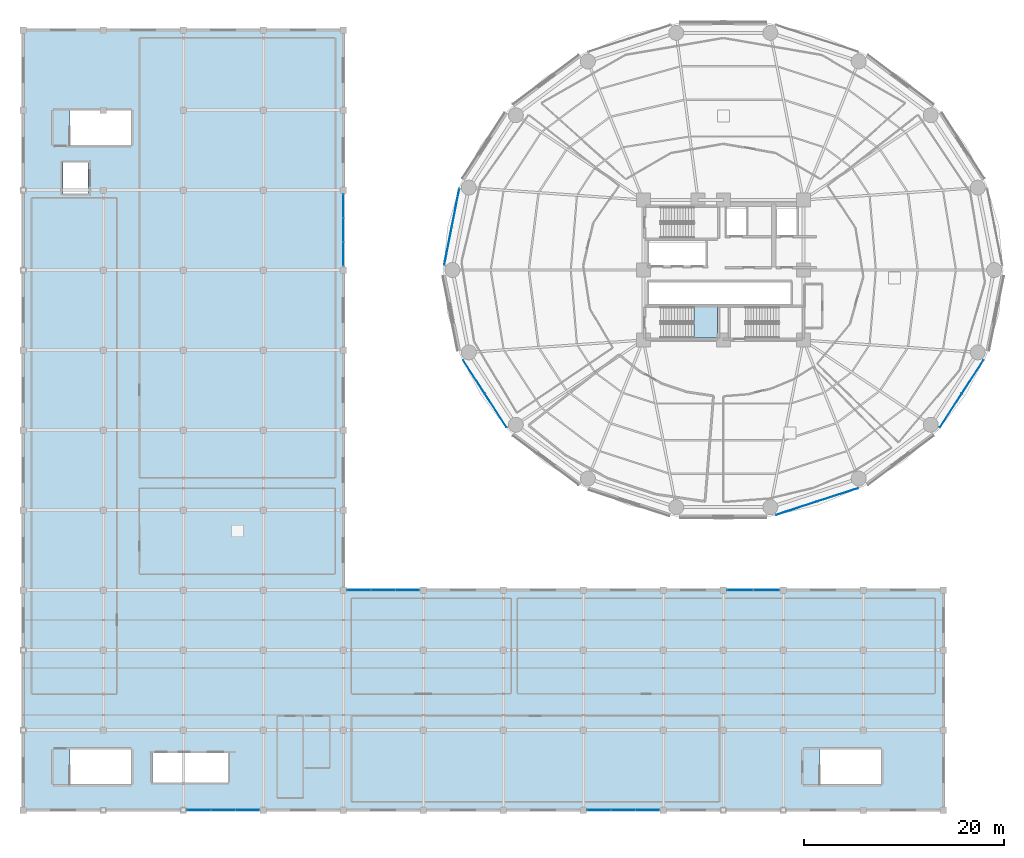
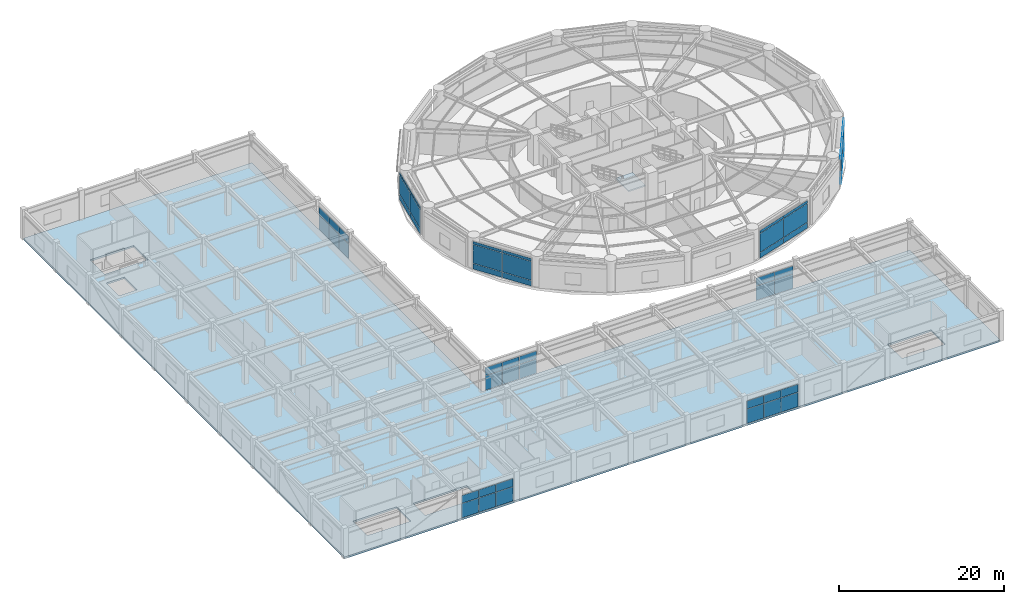
# One storey, part 32 of 46: 52 plates, 2 slabs, 10 elements without a shape of their own.
"""IFC4 building model written with IfcOpenShell, lengths in metres."""

from ifc_helpers import new_model, si_unit, direction, frame, origin, origin_2d, place, context, subcontext, project, spatial, polyline, rectangle, outline, extrude, source, transform, mapped, material, layer, layer_set, type_object, element, aggregate, save


model = new_model("IFC4")

# Units and contexts
model_context = context("Model", 3, precision=1e-05, world=origin(), true_north=direction((0.0, 1.0)))
body_context = subcontext(model_context, "Body", "Model", "MODEL_VIEW")
ifc_project = project(units=[si_unit("LENGTHUNIT", "METRE"), si_unit("AREAUNIT", "SQUARE_METRE"), si_unit("VOLUMEUNIT", "CUBIC_METRE"), si_unit("PLANEANGLEUNIT", "RADIAN"), si_unit("MASSUNIT", "GRAM", prefix="KILO")], contexts=[model_context])

# Site, building, storey
site_placement = place(None, origin())
site = spatial("IfcSite", under=ifc_project, at=site_placement, CompositionType="ELEMENT")
building_placement = place(site_placement, origin())
building = spatial("IfcBuilding", under=site, at=building_placement, Name="Kelanora Arch Commons", CompositionType="ELEMENT")
storey_placement = place(building_placement, frame((0.0, 0.0, 18.0)))
storey = spatial("IfcBuildingStorey", under=building, at=storey_placement, Name="L04", CompositionType="ELEMENT", Elevation=18.0)

# Slab
ifc_material_1 = material(Name="Concrete C40/50", Category="concrete")
ifc_layer_1 = layer(ifc_material_1, 0.260009765625)
ifc_layer_set_1 = layer_set([ifc_layer_1], Name="Concrete C40/50")
slab_type_1 = type_object("IfcSlabType", Name="SLB-MKT-SUSP", PredefinedType="FLOOR", material=ifc_layer_set_1)
slab_1_placement = place(storey_placement, frame((0.0, 0.0, -0.260009765625)))
element("IfcSlab", 1, at=slab_1_placement, inside=storey, type_object=slab_type_1, Name="Market Hall Floor Slab L04", PredefinedType="FLOOR", context=body_context, shape_type="SweptSolid", body=[
    extrude(outline(polyline([(4.0, 4.0), (96.0, 4.0), (96.0, 26.0), (36.0, 26.0), (36.0, 82.0), (4.0, 82.0), (4.0, 4.0)]), holes=[polyline([(24.449951171875, 6.75), (16.89990234375, 6.75), (16.89990234375, 9.699951171875), (24.449951171875, 9.699951171875), (24.449951171875, 6.75)]), polyline([(14.7919921875, 6.568115234375), (8.68798828125, 6.568115234375), (8.68798828125, 10.06201171875), (14.7919921875, 10.06201171875), (14.7919921875, 6.568115234375)]), polyline([(89.7919921875, 6.568115234375), (83.68798828125, 6.568115234375), (83.68798828125, 10.06201171875), (89.7919921875, 10.06201171875), (89.7919921875, 6.568115234375)]), polyline([(7.949951171875, 65.64990234375), (7.949951171875, 68.75), (10.449951171875, 68.75), (10.449951171875, 65.64990234375), (7.949951171875, 65.64990234375)]), polyline([(8.68798828125, 70.488037109375), (8.68798828125, 73.98193359375), (14.7919921875, 73.98193359375), (14.7919921875, 70.488037109375), (8.68798828125, 70.488037109375)])]), origin(), (0.0, 0.0, 1.0), 0.260009765625),
])

# Stair, slab
stair_type = type_object("IfcStairType", Name="STR-DL-450", PredefinedType="HALF_TURN_STAIR", material=ifc_material_1)
stair_placement = place(storey_placement, origin())
stair = element("IfcStair", 2, at=stair_placement, inside=storey, type_object=stair_type, Name="L04 ST-T3", PredefinedType="HALF_TURN_STAIR")
ifc_layer_2 = layer(ifc_material_1, 0.199951171875)
ifc_layer_set_2 = layer_set([ifc_layer_2], Name="Concrete C40/50")
slab_type_2 = type_object("IfcSlabType", Name="SLB-STAIR-LND", PredefinedType="LANDING", material=ifc_layer_set_2)
slab_2_placement = place(storey_placement, frame((0.0, 0.0, 2.050048828125)))
slab_2 = element("IfcSlab", 3, at=slab_2_placement, type_object=slab_type_2, Name="ST-T3 landing 1", PredefinedType="LANDING", context=body_context, shape_type="SweptSolid", body=[
    extrude(outline(polyline([(71.080078125, 51.179931640625), (73.43994140625, 51.179931640625), (73.43994140625, 54.2900390625), (71.080078125, 54.2900390625), (71.080078125, 51.179931640625)])), origin(), (0.0, 0.0, 1.0), 0.199951171875),
])
aggregate(stair, [slab_2])

# Curtain wall, plates
ifc_material_2 = material(Name="Terracotta ceramic-fritted low-E glass and aluminium", Category="masonry")
ifc_layer_3 = layer(ifc_material_2, 0.2099609375)
ifc_layer_set_3 = layer_set([ifc_layer_3], Name="Terracotta ceramic-fritted low-E glass and aluminium")
curtain_wall_type_1 = type_object("IfcCurtainWallType", Name="CW-SYS-04", PredefinedType="NOTDEFINED", material=ifc_layer_set_3)
curtain_wall_1_placement = place(storey_placement, origin())
curtain_wall_1 = element("IfcCurtainWall", 4, at=curtain_wall_1_placement, inside=storey, type_object=curtain_wall_type_1, Name="Unitised Curtain Wall L04-B14", PredefinedType="NOTDEFINED")
ifc_material_3 = material(Name="Clear laminated solar-control double glazing", Category="glass")
ifc_layer_4 = layer(ifc_material_3, 0.033935546875)
ifc_layer_set_4 = layer_set([ifc_layer_4], Name="Clear laminated solar-control double glazing")
plate_type = type_object("IfcPlateType", Name="CWP-CLR", PredefinedType="CURTAIN_PANEL", material=ifc_layer_set_4)
shared_shape_1 = source(origin(), body_context, "Body", "SweptSolid", [
    extrude(rectangle(XDim=4.28466796875, YDim=0.033935546875, at=origin_2d()), origin(), (0.0, 0.0, 1.0), 0.81005859375),
])
plate_1_placement = place(storey_placement, frame((81.3173828125, 34.177734375, 0.06005859375), z_axis=(0.0, 0.0, 1.0), x_axis=(0.951039444211, 0.309069531911, 0.0)))
plate_1 = element("IfcPlate", 5, at=plate_1_placement, type_object=plate_type, Name="CW-04 panel 1.1", PredefinedType="CURTAIN_PANEL", context=body_context, shape_type="MappedRepresentation", body=[
    mapped(shared_shape_1, transform((0.0, 0.0, 0.0), scale=1.0)),
])
plate_2_placement = place(storey_placement, frame((85.44921875, 35.5205078125, 0.06005859375), z_axis=(0.0, 0.0, 1.0), x_axis=(0.951039444211, 0.309069531911, 0.0)))
plate_2 = element("IfcPlate", 6, at=plate_2_placement, type_object=plate_type, Name="CW-04 panel 2.1", PredefinedType="CURTAIN_PANEL", context=body_context, shape_type="MappedRepresentation", body=[
    mapped(shared_shape_1, transform((0.0, 0.0, 0.0), scale=1.0)),
])
shared_shape_2 = source(origin(), body_context, "Body", "SweptSolid", [
    extrude(rectangle(XDim=4.28466796875, YDim=0.033935546875, at=origin_2d()), origin(), (0.0, 0.0, 1.0), 0.409912109375),
])
plate_3_placement = place(storey_placement, frame((81.3173828125, 34.177734375, 3.7548828125), z_axis=(0.0, 0.0, 1.0), x_axis=(0.951039444211, 0.309069531911, 0.0)))
plate_3 = element("IfcPlate", 7, at=plate_3_placement, type_object=plate_type, Name="CW-04 panel 1.3", PredefinedType="CURTAIN_PANEL", context=body_context, shape_type="MappedRepresentation", body=[
    mapped(shared_shape_2, transform((0.0, 0.0, 0.0), scale=1.0)),
])
plate_4_placement = place(storey_placement, frame((85.44921875, 35.5205078125, 3.7548828125), z_axis=(0.0, 0.0, 1.0), x_axis=(0.951039444211, 0.309069531911, 0.0)))
plate_4 = element("IfcPlate", 8, at=plate_4_placement, type_object=plate_type, Name="CW-04 panel 2.3", PredefinedType="CURTAIN_PANEL", context=body_context, shape_type="MappedRepresentation", body=[
    mapped(shared_shape_2, transform((0.0, 0.0, 0.0), scale=1.0)),
])

curtain_wall_2_placement = place(storey_placement, origin())
curtain_wall_2 = element("IfcCurtainWall", 9, at=curtain_wall_2_placement, inside=storey, type_object=curtain_wall_type_1, Name="Unitised Curtain Wall L04-B10", PredefinedType="NOTDEFINED")
shared_shape_3 = source(origin(), body_context, "Body", "SweptSolid", [
    extrude(rectangle(XDim=3.95654296875, YDim=0.033935546875, at=origin_2d()), origin(), (0.0, 0.0, 1.0), 0.81005859375),
])
plate_5_placement = place(storey_placement, frame((49.068603515625, 47.3154296875, 0.06005859375), z_axis=(0.0, 0.0, 1.0), x_axis=(0.54300636083, -0.839728582399, 0.0)))
plate_5 = element("IfcPlate", 10, at=plate_5_placement, type_object=plate_type, Name="CW-04 panel 1.1", PredefinedType="CURTAIN_PANEL", context=body_context, shape_type="MappedRepresentation", body=[
    mapped(shared_shape_3, transform((0.0, 0.0, 0.0), scale=1.0)),
])
plate_6_placement = place(storey_placement, frame((51.24951171875, 43.942626953125, 0.06005859375), z_axis=(0.0, 0.0, 1.0), x_axis=(0.54300636083, -0.839728582399, 0.0)))
plate_6 = element("IfcPlate", 11, at=plate_6_placement, type_object=plate_type, Name="CW-04 panel 2.1", PredefinedType="CURTAIN_PANEL", context=body_context, shape_type="MappedRepresentation", body=[
    mapped(shared_shape_3, transform((0.0, 0.0, 0.0), scale=1.0)),
])

curtain_wall_3_placement = place(storey_placement, origin())
curtain_wall_3 = element("IfcCurtainWall", 12, at=curtain_wall_3_placement, inside=storey, type_object=curtain_wall_type_1, Name="Unitised Curtain Wall L04-B16", PredefinedType="NOTDEFINED")
plate_7_placement = place(storey_placement, frame((96.75048828125, 43.942626953125, 0.06005859375), z_axis=(0.0, 0.0, 1.0), x_axis=(0.54300636083, 0.839728582399, 0.0)))
plate_7 = element("IfcPlate", 13, at=plate_7_placement, type_object=plate_type, Name="CW-04 panel 1.1", PredefinedType="CURTAIN_PANEL", context=body_context, shape_type="MappedRepresentation", body=[
    mapped(shared_shape_3, transform((0.0, 0.0, 0.0), scale=1.0)),
])
plate_8_placement = place(storey_placement, frame((98.931396484375, 47.3154296875, 0.06005859375), z_axis=(0.0, 0.0, 1.0), x_axis=(0.54300636083, 0.839728582399, 0.0)))
plate_8 = element("IfcPlate", 14, at=plate_8_placement, type_object=plate_type, Name="CW-04 panel 2.1", PredefinedType="CURTAIN_PANEL", context=body_context, shape_type="MappedRepresentation", body=[
    mapped(shared_shape_3, transform((0.0, 0.0, 0.0), scale=1.0)),
])

# Plate
shared_shape_4 = source(origin(), body_context, "Body", "SweptSolid", [
    extrude(rectangle(XDim=3.95654296875, YDim=0.033935546875, at=origin_2d()), origin(), (0.0, 0.0, 1.0), 0.409912109375),
])
plate_9_placement = place(storey_placement, frame((49.068603515625, 47.3154296875, 3.7548828125), z_axis=(0.0, 0.0, 1.0), x_axis=(0.54300636083, -0.839728582399, 0.0)))
plate_9 = element("IfcPlate", 15, at=plate_9_placement, type_object=plate_type, Name="CW-04 panel 1.3", PredefinedType="CURTAIN_PANEL", context=body_context, shape_type="MappedRepresentation", body=[
    mapped(shared_shape_4, transform((0.0, 0.0, 0.0), scale=1.0)),
])

plate_10_placement = place(storey_placement, frame((51.24951171875, 43.942626953125, 3.7548828125), z_axis=(0.0, 0.0, 1.0), x_axis=(0.54300636083, -0.839728582399, 0.0)))
plate_10 = element("IfcPlate", 16, at=plate_10_placement, type_object=plate_type, Name="CW-04 panel 2.3", PredefinedType="CURTAIN_PANEL", context=body_context, shape_type="MappedRepresentation", body=[
    mapped(shared_shape_4, transform((0.0, 0.0, 0.0), scale=1.0)),
])

plate_11_placement = place(storey_placement, frame((96.75048828125, 43.942626953125, 3.7548828125), z_axis=(0.0, 0.0, 1.0), x_axis=(0.54300636083, 0.839728582399, 0.0)))
plate_11 = element("IfcPlate", 17, at=plate_11_placement, type_object=plate_type, Name="CW-04 panel 1.3", PredefinedType="CURTAIN_PANEL", context=body_context, shape_type="MappedRepresentation", body=[
    mapped(shared_shape_4, transform((0.0, 0.0, 0.0), scale=1.0)),
])

plate_12_placement = place(storey_placement, frame((98.931396484375, 47.3154296875, 3.7548828125), z_axis=(0.0, 0.0, 1.0), x_axis=(0.54300636083, 0.839728582399, 0.0)))
plate_12 = element("IfcPlate", 18, at=plate_12_placement, type_object=plate_type, Name="CW-04 panel 2.3", PredefinedType="CURTAIN_PANEL", context=body_context, shape_type="MappedRepresentation", body=[
    mapped(shared_shape_4, transform((0.0, 0.0, 0.0), scale=1.0)),
])

# Curtain wall, plates
curtain_wall_4_placement = place(storey_placement, origin())
curtain_wall_4 = element("IfcCurtainWall", 19, at=curtain_wall_4_placement, inside=storey, type_object=curtain_wall_type_1, Name="Unitised Curtain Wall L04-B08", PredefinedType="NOTDEFINED")
shared_shape_5 = source(origin(), body_context, "Body", "SweptSolid", [
    extrude(rectangle(XDim=3.839111328125, YDim=0.033935546875, at=origin_2d()), origin(), (0.0, 0.0, 1.0), 0.81005859375),
])
plate_13_placement = place(storey_placement, frame((47.227783203125, 64.216796875, 0.06005859375), z_axis=(0.0, 0.0, 1.0), x_axis=(-0.193736821698, -0.981053537743, 0.0)))
plate_13 = element("IfcPlate", 20, at=plate_13_placement, type_object=plate_type, Name="CW-04 panel 1.1", PredefinedType="CURTAIN_PANEL", context=body_context, shape_type="MappedRepresentation", body=[
    mapped(shared_shape_5, transform((0.0, 0.0, 0.0), scale=1.0)),
])
plate_14_placement = place(storey_placement, frame((46.472412109375, 60.3916015625, 0.06005859375), z_axis=(0.0, 0.0, 1.0), x_axis=(-0.193736821698, -0.981053537743, 0.0)))
plate_14 = element("IfcPlate", 21, at=plate_14_placement, type_object=plate_type, Name="CW-04 panel 2.1", PredefinedType="CURTAIN_PANEL", context=body_context, shape_type="MappedRepresentation", body=[
    mapped(shared_shape_5, transform((0.0, 0.0, 0.0), scale=1.0)),
])
shared_shape_6 = source(origin(), body_context, "Body", "SweptSolid", [
    extrude(rectangle(XDim=3.839111328125, YDim=0.033935546875, at=origin_2d()), origin(), (0.0, 0.0, 1.0), 2.764892578125),
])
plate_15_placement = place(storey_placement, frame((47.227783203125, 64.216796875, 0.93017578125), z_axis=(0.0, 0.0, 1.0), x_axis=(-0.193736821698, -0.981053537743, 0.0)))
plate_15 = element("IfcPlate", 22, at=plate_15_placement, type_object=plate_type, Name="CW-04 panel 1.2", PredefinedType="CURTAIN_PANEL", context=body_context, shape_type="MappedRepresentation", body=[
    mapped(shared_shape_6, transform((0.0, 0.0, 0.0), scale=1.0)),
])
plate_16_placement = place(storey_placement, frame((46.472412109375, 60.3916015625, 0.93017578125), z_axis=(0.0, 0.0, 1.0), x_axis=(-0.193736821698, -0.981053537743, 0.0)))
plate_16 = element("IfcPlate", 23, at=plate_16_placement, type_object=plate_type, Name="CW-04 panel 2.2", PredefinedType="CURTAIN_PANEL", context=body_context, shape_type="MappedRepresentation", body=[
    mapped(shared_shape_6, transform((0.0, 0.0, 0.0), scale=1.0)),
])
shared_shape_7 = source(origin(), body_context, "Body", "SweptSolid", [
    extrude(rectangle(XDim=3.839111328125, YDim=0.033935546875, at=origin_2d()), origin(), (0.0, 0.0, 1.0), 0.409912109375),
])
plate_17_placement = place(storey_placement, frame((47.227783203125, 64.216796875, 3.7548828125), z_axis=(0.0, 0.0, 1.0), x_axis=(-0.193736821698, -0.981053537743, 0.0)))
plate_17 = element("IfcPlate", 24, at=plate_17_placement, type_object=plate_type, Name="CW-04 panel 1.3", PredefinedType="CURTAIN_PANEL", context=body_context, shape_type="MappedRepresentation", body=[
    mapped(shared_shape_7, transform((0.0, 0.0, 0.0), scale=1.0)),
])
plate_18_placement = place(storey_placement, frame((46.472412109375, 60.3916015625, 3.7548828125), z_axis=(0.0, 0.0, 1.0), x_axis=(-0.193736821698, -0.981053537743, 0.0)))
plate_18 = element("IfcPlate", 25, at=plate_18_placement, type_object=plate_type, Name="CW-04 panel 2.3", PredefinedType="CURTAIN_PANEL", context=body_context, shape_type="MappedRepresentation", body=[
    mapped(shared_shape_7, transform((0.0, 0.0, 0.0), scale=1.0)),
])
aggregate(curtain_wall_4, [plate_13, plate_15, plate_17, plate_14, plate_16, plate_18])

# Plate
shared_shape_8 = source(origin(), body_context, "Body", "SweptSolid", [
    extrude(rectangle(XDim=4.28466796875, YDim=0.033935546875, at=origin_2d()), origin(), (0.0, 0.0, 1.0), 2.764892578125),
])
plate_19_placement = place(storey_placement, frame((81.3173828125, 34.177734375, 0.93017578125), z_axis=(0.0, 0.0, 1.0), x_axis=(0.951039444211, 0.309069531911, 0.0)))
plate_19 = element("IfcPlate", 26, at=plate_19_placement, type_object=plate_type, Name="CW-04 panel 1.2", PredefinedType="CURTAIN_PANEL", context=body_context, shape_type="MappedRepresentation", body=[
    mapped(shared_shape_8, transform((0.0, 0.0, 0.0), scale=1.0)),
])

plate_20_placement = place(storey_placement, frame((85.44921875, 35.5205078125, 0.93017578125), z_axis=(0.0, 0.0, 1.0), x_axis=(0.951039444211, 0.309069531911, 0.0)))
plate_20 = element("IfcPlate", 27, at=plate_20_placement, type_object=plate_type, Name="CW-04 panel 2.2", PredefinedType="CURTAIN_PANEL", context=body_context, shape_type="MappedRepresentation", body=[
    mapped(shared_shape_8, transform((0.0, 0.0, 0.0), scale=1.0)),
])

aggregate(curtain_wall_1, [plate_1, plate_19, plate_3, plate_2, plate_20, plate_4])

shared_shape_9 = source(origin(), body_context, "Body", "SweptSolid", [
    extrude(rectangle(XDim=3.95654296875, YDim=0.033935546875, at=origin_2d()), origin(), (0.0, 0.0, 1.0), 2.764892578125),
])
plate_21_placement = place(storey_placement, frame((49.068603515625, 47.3154296875, 0.93017578125), z_axis=(0.0, 0.0, 1.0), x_axis=(0.54300636083, -0.839728582399, 0.0)))
plate_21 = element("IfcPlate", 28, at=plate_21_placement, type_object=plate_type, Name="CW-04 panel 1.2", PredefinedType="CURTAIN_PANEL", context=body_context, shape_type="MappedRepresentation", body=[
    mapped(shared_shape_9, transform((0.0, 0.0, 0.0), scale=1.0)),
])

plate_22_placement = place(storey_placement, frame((51.24951171875, 43.942626953125, 0.93017578125), z_axis=(0.0, 0.0, 1.0), x_axis=(0.54300636083, -0.839728582399, 0.0)))
plate_22 = element("IfcPlate", 29, at=plate_22_placement, type_object=plate_type, Name="CW-04 panel 2.2", PredefinedType="CURTAIN_PANEL", context=body_context, shape_type="MappedRepresentation", body=[
    mapped(shared_shape_9, transform((0.0, 0.0, 0.0), scale=1.0)),
])

aggregate(curtain_wall_2, [plate_5, plate_21, plate_9, plate_6, plate_22, plate_10])

plate_23_placement = place(storey_placement, frame((96.75048828125, 43.942626953125, 0.93017578125), z_axis=(0.0, 0.0, 1.0), x_axis=(0.54300636083, 0.839728582399, 0.0)))
plate_23 = element("IfcPlate", 30, at=plate_23_placement, type_object=plate_type, Name="CW-04 panel 1.2", PredefinedType="CURTAIN_PANEL", context=body_context, shape_type="MappedRepresentation", body=[
    mapped(shared_shape_9, transform((0.0, 0.0, 0.0), scale=1.0)),
])

plate_24_placement = place(storey_placement, frame((98.931396484375, 47.3154296875, 0.93017578125), z_axis=(0.0, 0.0, 1.0), x_axis=(0.54300636083, 0.839728582399, 0.0)))
plate_24 = element("IfcPlate", 31, at=plate_24_placement, type_object=plate_type, Name="CW-04 panel 2.2", PredefinedType="CURTAIN_PANEL", context=body_context, shape_type="MappedRepresentation", body=[
    mapped(shared_shape_9, transform((0.0, 0.0, 0.0), scale=1.0)),
])

aggregate(curtain_wall_3, [plate_7, plate_23, plate_11, plate_8, plate_24, plate_12])

# Curtain wall, plates
ifc_layer_5 = layer(ifc_material_2, 0.16796875)
ifc_layer_set_5 = layer_set([ifc_layer_5], Name="Terracotta ceramic-fritted low-E glass and aluminium")
curtain_wall_type_2 = type_object("IfcCurtainWallType", Name="CW-SYS-07", PredefinedType="NOTDEFINED", material=ifc_layer_set_5)
curtain_wall_5_placement = place(storey_placement, origin())
curtain_wall_5 = element("IfcCurtainWall", 32, at=curtain_wall_5_placement, inside=storey, type_object=curtain_wall_type_2, Name="Market Hall Arcade Curtain Wall L04-02", PredefinedType="NOTDEFINED")
shared_shape_10 = source(origin(), body_context, "Body", "SweptSolid", [
    extrude(rectangle(XDim=2.34326171875, YDim=0.033935546875, at=origin_2d()), origin(), (0.0, 0.0, 1.0), 2.110107421875),
])
plate_25_placement = place(storey_placement, frame((21.581787109375, 4.0, 0.06005859375), z_axis=(0.0, 0.0, 1.0), x_axis=(1.0, 0.0, 0.0)))
plate_25 = element("IfcPlate", 33, at=plate_25_placement, type_object=plate_type, Name="CW-07 panel 1.1", PredefinedType="CURTAIN_PANEL", context=body_context, shape_type="MappedRepresentation", body=[
    mapped(shared_shape_10, transform((0.0, 0.0, 0.0), scale=1.0)),
])
plate_26_placement = place(storey_placement, frame((26.418212890625, 4.0, 0.06005859375), z_axis=(0.0, 0.0, 1.0), x_axis=(1.0, 0.0, 0.0)))
plate_26 = element("IfcPlate", 34, at=plate_26_placement, type_object=plate_type, Name="CW-07 panel 3.1", PredefinedType="CURTAIN_PANEL", context=body_context, shape_type="MappedRepresentation", body=[
    mapped(shared_shape_10, transform((0.0, 0.0, 0.0), scale=1.0)),
])

curtain_wall_6_placement = place(storey_placement, origin())
curtain_wall_6 = element("IfcCurtainWall", 35, at=curtain_wall_6_placement, inside=storey, type_object=curtain_wall_type_2, Name="Market Hall Arcade Curtain Wall L04-07", PredefinedType="NOTDEFINED")
plate_27_placement = place(storey_placement, frame((61.581787109375, 4.0, 0.06005859375), z_axis=(0.0, 0.0, 1.0), x_axis=(1.0, 0.0, 0.0)))
plate_27 = element("IfcPlate", 36, at=plate_27_placement, type_object=plate_type, Name="CW-07 panel 1.1", PredefinedType="CURTAIN_PANEL", context=body_context, shape_type="MappedRepresentation", body=[
    mapped(shared_shape_10, transform((0.0, 0.0, 0.0), scale=1.0)),
])
plate_28_placement = place(storey_placement, frame((66.418212890625, 4.0, 0.06005859375), z_axis=(0.0, 0.0, 1.0), x_axis=(1.0, 0.0, 0.0)))
plate_28 = element("IfcPlate", 37, at=plate_28_placement, type_object=plate_type, Name="CW-07 panel 3.1", PredefinedType="CURTAIN_PANEL", context=body_context, shape_type="MappedRepresentation", body=[
    mapped(shared_shape_10, transform((0.0, 0.0, 0.0), scale=1.0)),
])

curtain_wall_7_placement = place(storey_placement, origin())
curtain_wall_7 = element("IfcCurtainWall", 38, at=curtain_wall_7_placement, inside=storey, type_object=curtain_wall_type_2, Name="Market Hall Arcade Curtain Wall L04-22", PredefinedType="NOTDEFINED")
plate_29_placement = place(storey_placement, frame((42.418212890625, 26.0, 0.06005859375), z_axis=(0.0, 0.0, 1.0), x_axis=(-1.0, 0.0, 0.0)))
plate_29 = element("IfcPlate", 39, at=plate_29_placement, type_object=plate_type, Name="CW-07 panel 1.1", PredefinedType="CURTAIN_PANEL", context=body_context, shape_type="MappedRepresentation", body=[
    mapped(shared_shape_10, transform((0.0, 0.0, 0.0), scale=1.0)),
])
plate_30_placement = place(storey_placement, frame((37.581787109375, 26.0, 0.06005859375), z_axis=(0.0, 0.0, 1.0), x_axis=(-1.0, 0.0, 0.0)))
plate_30 = element("IfcPlate", 40, at=plate_30_placement, type_object=plate_type, Name="CW-07 panel 3.1", PredefinedType="CURTAIN_PANEL", context=body_context, shape_type="MappedRepresentation", body=[
    mapped(shared_shape_10, transform((0.0, 0.0, 0.0), scale=1.0)),
])

curtain_wall_8_placement = place(storey_placement, origin())
curtain_wall_8 = element("IfcCurtainWall", 41, at=curtain_wall_8_placement, inside=storey, type_object=curtain_wall_type_2, Name="Market Hall Arcade Curtain Wall L04-27", PredefinedType="NOTDEFINED")
plate_31_placement = place(storey_placement, frame((36.0, 59.581787109375, 0.06005859375), z_axis=(0.0, 0.0, 1.0), x_axis=(0.0, 1.0, 0.0)))
plate_31 = element("IfcPlate", 42, at=plate_31_placement, type_object=plate_type, Name="CW-07 panel 1.1", PredefinedType="CURTAIN_PANEL", context=body_context, shape_type="MappedRepresentation", body=[
    mapped(shared_shape_10, transform((0.0, 0.0, 0.0), scale=1.0)),
])
plate_32_placement = place(storey_placement, frame((36.0, 64.418212890625, 0.06005859375), z_axis=(0.0, 0.0, 1.0), x_axis=(0.0, 1.0, 0.0)))
plate_32 = element("IfcPlate", 43, at=plate_32_placement, type_object=plate_type, Name="CW-07 panel 3.1", PredefinedType="CURTAIN_PANEL", context=body_context, shape_type="MappedRepresentation", body=[
    mapped(shared_shape_10, transform((0.0, 0.0, 0.0), scale=1.0)),
])

# Plate
shared_shape_11 = source(origin(), body_context, "Body", "SweptSolid", [
    extrude(rectangle(XDim=2.373291015625, YDim=0.033935546875, at=origin_2d()), origin(), (0.0, 0.0, 1.0), 2.110107421875),
])
plate_33_placement = place(storey_placement, frame((24.0, 4.0, 0.06005859375), z_axis=(0.0, 0.0, 1.0), x_axis=(1.0, 0.0, 0.0)))
plate_33 = element("IfcPlate", 44, at=plate_33_placement, type_object=plate_type, Name="CW-07 panel 2.1", PredefinedType="CURTAIN_PANEL", context=body_context, shape_type="MappedRepresentation", body=[
    mapped(shared_shape_11, transform((0.0, 0.0, 0.0), scale=1.0)),
])

plate_34_placement = place(storey_placement, frame((64.0, 4.0, 0.06005859375), z_axis=(0.0, 0.0, 1.0), x_axis=(1.0, 0.0, 0.0)))
plate_34 = element("IfcPlate", 45, at=plate_34_placement, type_object=plate_type, Name="CW-07 panel 2.1", PredefinedType="CURTAIN_PANEL", context=body_context, shape_type="MappedRepresentation", body=[
    mapped(shared_shape_11, transform((0.0, 0.0, 0.0), scale=1.0)),
])

plate_35_placement = place(storey_placement, frame((40.0, 26.0, 0.06005859375), z_axis=(0.0, 0.0, 1.0), x_axis=(-1.0, 0.0, 0.0)))
plate_35 = element("IfcPlate", 46, at=plate_35_placement, type_object=plate_type, Name="CW-07 panel 2.1", PredefinedType="CURTAIN_PANEL", context=body_context, shape_type="MappedRepresentation", body=[
    mapped(shared_shape_11, transform((0.0, 0.0, 0.0), scale=1.0)),
])

plate_36_placement = place(storey_placement, frame((36.0, 62.0, 0.06005859375), z_axis=(0.0, 0.0, 1.0), x_axis=(0.0, 1.0, 0.0)))
plate_36 = element("IfcPlate", 47, at=plate_36_placement, type_object=plate_type, Name="CW-07 panel 2.1", PredefinedType="CURTAIN_PANEL", context=body_context, shape_type="MappedRepresentation", body=[
    mapped(shared_shape_11, transform((0.0, 0.0, 0.0), scale=1.0)),
])

# Curtain wall, plates
curtain_wall_9_placement = place(storey_placement, origin())
curtain_wall_9 = element("IfcCurtainWall", 48, at=curtain_wall_9_placement, inside=storey, type_object=curtain_wall_type_2, Name="Market Hall Arcade Curtain Wall L04-17", PredefinedType="NOTDEFINED")
shared_shape_12 = source(origin(), body_context, "Body", "SweptSolid", [
    extrude(rectangle(XDim=2.56005859375, YDim=0.033935546875, at=origin_2d()), origin(), (0.0, 0.0, 1.0), 2.110107421875),
])
plate_37_placement = place(storey_placement, frame((78.31005859375, 26.0, 0.06005859375), z_axis=(0.0, 0.0, 1.0), x_axis=(-1.0, 0.0, 0.0)))
plate_37 = element("IfcPlate", 49, at=plate_37_placement, type_object=plate_type, Name="CW-07 panel 1.1", PredefinedType="CURTAIN_PANEL", context=body_context, shape_type="MappedRepresentation", body=[
    mapped(shared_shape_12, transform((0.0, 0.0, 0.0), scale=1.0)),
])
plate_38_placement = place(storey_placement, frame((75.68994140625, 26.0, 0.06005859375), z_axis=(0.0, 0.0, 1.0), x_axis=(-1.0, 0.0, 0.0)))
plate_38 = element("IfcPlate", 50, at=plate_38_placement, type_object=plate_type, Name="CW-07 panel 2.1", PredefinedType="CURTAIN_PANEL", context=body_context, shape_type="MappedRepresentation", body=[
    mapped(shared_shape_12, transform((0.0, 0.0, 0.0), scale=1.0)),
])

# Plate
shared_shape_13 = source(origin(), body_context, "Body", "SweptSolid", [
    extrude(rectangle(XDim=2.34326171875, YDim=0.033935546875, at=origin_2d()), origin(), (0.0, 0.0, 1.0), 1.14990234375),
])
plate_39_placement = place(storey_placement, frame((21.581787109375, 4.0, 2.22998046875), z_axis=(0.0, 0.0, 1.0), x_axis=(1.0, 0.0, 0.0)))
plate_39 = element("IfcPlate", 51, at=plate_39_placement, type_object=plate_type, Name="CW-07 panel 1.2", PredefinedType="CURTAIN_PANEL", context=body_context, shape_type="MappedRepresentation", body=[
    mapped(shared_shape_13, transform((0.0, 0.0, 0.0), scale=1.0)),
])

plate_40_placement = place(storey_placement, frame((26.418212890625, 4.0, 2.22998046875), z_axis=(0.0, 0.0, 1.0), x_axis=(1.0, 0.0, 0.0)))
plate_40 = element("IfcPlate", 52, at=plate_40_placement, type_object=plate_type, Name="CW-07 panel 3.2", PredefinedType="CURTAIN_PANEL", context=body_context, shape_type="MappedRepresentation", body=[
    mapped(shared_shape_13, transform((0.0, 0.0, 0.0), scale=1.0)),
])

plate_41_placement = place(storey_placement, frame((61.581787109375, 4.0, 2.22998046875), z_axis=(0.0, 0.0, 1.0), x_axis=(1.0, 0.0, 0.0)))
plate_41 = element("IfcPlate", 53, at=plate_41_placement, type_object=plate_type, Name="CW-07 panel 1.2", PredefinedType="CURTAIN_PANEL", context=body_context, shape_type="MappedRepresentation", body=[
    mapped(shared_shape_13, transform((0.0, 0.0, 0.0), scale=1.0)),
])

plate_42_placement = place(storey_placement, frame((66.418212890625, 4.0, 2.22998046875), z_axis=(0.0, 0.0, 1.0), x_axis=(1.0, 0.0, 0.0)))
plate_42 = element("IfcPlate", 54, at=plate_42_placement, type_object=plate_type, Name="CW-07 panel 3.2", PredefinedType="CURTAIN_PANEL", context=body_context, shape_type="MappedRepresentation", body=[
    mapped(shared_shape_13, transform((0.0, 0.0, 0.0), scale=1.0)),
])

plate_43_placement = place(storey_placement, frame((42.418212890625, 26.0, 2.22998046875), z_axis=(0.0, 0.0, 1.0), x_axis=(-1.0, 0.0, 0.0)))
plate_43 = element("IfcPlate", 55, at=plate_43_placement, type_object=plate_type, Name="CW-07 panel 1.2", PredefinedType="CURTAIN_PANEL", context=body_context, shape_type="MappedRepresentation", body=[
    mapped(shared_shape_13, transform((0.0, 0.0, 0.0), scale=1.0)),
])

plate_44_placement = place(storey_placement, frame((37.581787109375, 26.0, 2.22998046875), z_axis=(0.0, 0.0, 1.0), x_axis=(-1.0, 0.0, 0.0)))
plate_44 = element("IfcPlate", 56, at=plate_44_placement, type_object=plate_type, Name="CW-07 panel 3.2", PredefinedType="CURTAIN_PANEL", context=body_context, shape_type="MappedRepresentation", body=[
    mapped(shared_shape_13, transform((0.0, 0.0, 0.0), scale=1.0)),
])

plate_45_placement = place(storey_placement, frame((36.0, 59.581787109375, 2.22998046875), z_axis=(0.0, 0.0, 1.0), x_axis=(0.0, 1.0, 0.0)))
plate_45 = element("IfcPlate", 57, at=plate_45_placement, type_object=plate_type, Name="CW-07 panel 1.2", PredefinedType="CURTAIN_PANEL", context=body_context, shape_type="MappedRepresentation", body=[
    mapped(shared_shape_13, transform((0.0, 0.0, 0.0), scale=1.0)),
])

plate_46_placement = place(storey_placement, frame((36.0, 64.418212890625, 2.22998046875), z_axis=(0.0, 0.0, 1.0), x_axis=(0.0, 1.0, 0.0)))
plate_46 = element("IfcPlate", 58, at=plate_46_placement, type_object=plate_type, Name="CW-07 panel 3.2", PredefinedType="CURTAIN_PANEL", context=body_context, shape_type="MappedRepresentation", body=[
    mapped(shared_shape_13, transform((0.0, 0.0, 0.0), scale=1.0)),
])

shared_shape_14 = source(origin(), body_context, "Body", "SweptSolid", [
    extrude(rectangle(XDim=2.373291015625, YDim=0.033935546875, at=origin_2d()), origin(), (0.0, 0.0, 1.0), 1.14990234375),
])
plate_47_placement = place(storey_placement, frame((24.0, 4.0, 2.22998046875), z_axis=(0.0, 0.0, 1.0), x_axis=(1.0, 0.0, 0.0)))
plate_47 = element("IfcPlate", 59, at=plate_47_placement, type_object=plate_type, Name="CW-07 panel 2.2", PredefinedType="CURTAIN_PANEL", context=body_context, shape_type="MappedRepresentation", body=[
    mapped(shared_shape_14, transform((0.0, 0.0, 0.0), scale=1.0)),
])

aggregate(curtain_wall_5, [plate_25, plate_39, plate_33, plate_47, plate_26, plate_40])

plate_48_placement = place(storey_placement, frame((64.0, 4.0, 2.22998046875), z_axis=(0.0, 0.0, 1.0), x_axis=(1.0, 0.0, 0.0)))
plate_48 = element("IfcPlate", 60, at=plate_48_placement, type_object=plate_type, Name="CW-07 panel 2.2", PredefinedType="CURTAIN_PANEL", context=body_context, shape_type="MappedRepresentation", body=[
    mapped(shared_shape_14, transform((0.0, 0.0, 0.0), scale=1.0)),
])

aggregate(curtain_wall_6, [plate_27, plate_41, plate_34, plate_48, plate_28, plate_42])

plate_49_placement = place(storey_placement, frame((40.0, 26.0, 2.22998046875), z_axis=(0.0, 0.0, 1.0), x_axis=(-1.0, 0.0, 0.0)))
plate_49 = element("IfcPlate", 61, at=plate_49_placement, type_object=plate_type, Name="CW-07 panel 2.2", PredefinedType="CURTAIN_PANEL", context=body_context, shape_type="MappedRepresentation", body=[
    mapped(shared_shape_14, transform((0.0, 0.0, 0.0), scale=1.0)),
])

aggregate(curtain_wall_7, [plate_29, plate_43, plate_35, plate_49, plate_30, plate_44])

plate_50_placement = place(storey_placement, frame((36.0, 62.0, 2.22998046875), z_axis=(0.0, 0.0, 1.0), x_axis=(0.0, 1.0, 0.0)))
plate_50 = element("IfcPlate", 62, at=plate_50_placement, type_object=plate_type, Name="CW-07 panel 2.2", PredefinedType="CURTAIN_PANEL", context=body_context, shape_type="MappedRepresentation", body=[
    mapped(shared_shape_14, transform((0.0, 0.0, 0.0), scale=1.0)),
])

aggregate(curtain_wall_8, [plate_31, plate_45, plate_36, plate_50, plate_32, plate_46])

shared_shape_15 = source(origin(), body_context, "Body", "SweptSolid", [
    extrude(rectangle(XDim=2.56005859375, YDim=0.033935546875, at=origin_2d()), origin(), (0.0, 0.0, 1.0), 1.14990234375),
])
plate_51_placement = place(storey_placement, frame((78.31005859375, 26.0, 2.22998046875), z_axis=(0.0, 0.0, 1.0), x_axis=(-1.0, 0.0, 0.0)))
plate_51 = element("IfcPlate", 63, at=plate_51_placement, type_object=plate_type, Name="CW-07 panel 1.2", PredefinedType="CURTAIN_PANEL", context=body_context, shape_type="MappedRepresentation", body=[
    mapped(shared_shape_15, transform((0.0, 0.0, 0.0), scale=1.0)),
])

plate_52_placement = place(storey_placement, frame((75.68994140625, 26.0, 2.22998046875), z_axis=(0.0, 0.0, 1.0), x_axis=(-1.0, 0.0, 0.0)))
plate_52 = element("IfcPlate", 64, at=plate_52_placement, type_object=plate_type, Name="CW-07 panel 2.2", PredefinedType="CURTAIN_PANEL", context=body_context, shape_type="MappedRepresentation", body=[
    mapped(shared_shape_15, transform((0.0, 0.0, 0.0), scale=1.0)),
])

aggregate(curtain_wall_9, [plate_37, plate_51, plate_38, plate_52])

save(model, "model.ifc")
